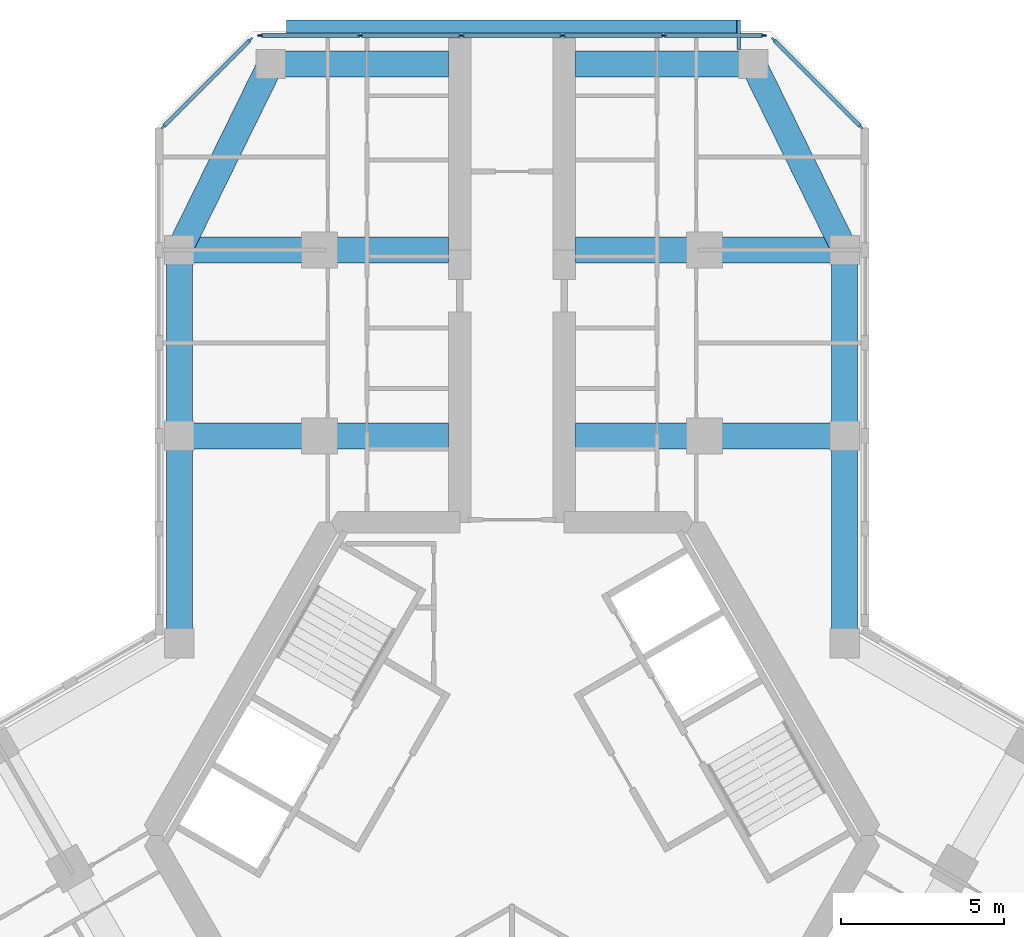
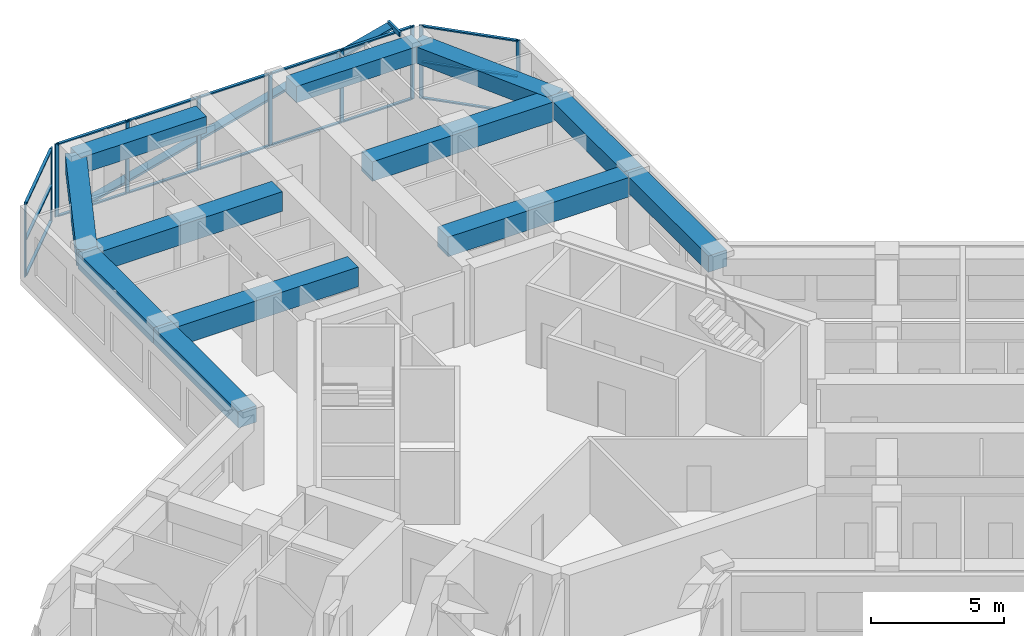
# One storey, part 6 of 16: 28 members, 12 beams, 3 elements without a shape of their own.
"""IFC4 building model written with IfcOpenShell, lengths in metres."""

from ifc_helpers import new_model, si_unit, direction, frame, origin, origin_2d, place, context, subcontext, project, spatial, rectangle, hollow_rectangle, extrude, material, material_profile, profile_set, type_object, element, aggregate, save


model = new_model("IFC4")

# Units and contexts
model_context = context("Model", 3, precision=1e-05, world=origin(), true_north=direction((0.0, 1.0)))
body_context = subcontext(model_context, "Body", "Model", "MODEL_VIEW")
ifc_project = project(units=[si_unit("LENGTHUNIT", "METRE"), si_unit("AREAUNIT", "SQUARE_METRE"), si_unit("VOLUMEUNIT", "CUBIC_METRE"), si_unit("PLANEANGLEUNIT", "RADIAN"), si_unit("MASSUNIT", "GRAM", prefix="KILO")], contexts=[model_context])

# Site, building, storey
site_placement = place(None, origin())
site = spatial("IfcSite", under=ifc_project, at=site_placement, CompositionType="ELEMENT")
building_placement = place(site_placement, origin())
building = spatial("IfcBuilding", under=site, at=building_placement, Name="Kosmar Iwan School Tower", CompositionType="ELEMENT")
storey_placement = place(building_placement, frame((0.0, 0.0, 204.60009765625)))
storey = spatial("IfcBuildingStorey", under=building, at=storey_placement, Name="L51", CompositionType="ELEMENT", Elevation=204.60009765625)

# Members
ifc_material_1 = material(Name="Black anodised aluminium", Category="aluminium")
ifc_material_profile_1 = material_profile(ifc_material_1, rectangle(XDim=0.10009765625, YDim=0.39990234375, at=origin_2d()), Name="FIN 100x400")
ifc_profile_set_1 = profile_set([ifc_material_profile_1], Name="Black anodised aluminium")
member_type_1 = type_object("IfcMemberType", Name="Diagonal fin 100x400", PredefinedType="USERDEFINED", material=ifc_profile_set_1)
member_1_placement = place(storey_placement, frame((-6.898193359375, 24.800048828125, -0.150146484375), z_axis=(0.967599450335, 0.0, 0.252490205179), x_axis=(-0.252490205179, 0.0, 0.967599450335)))
element("IfcMember", 1, at=member_1_placement, inside=storey, type_object=member_type_1, Name="Diagonal fin L51-F06", ObjectType="FIN", PredefinedType="USERDEFINED", context=body_context, shape_type="SweptSolid", body=[
    extrude(rectangle(XDim=0.10009765625, YDim=0.39990234375, at=origin_2d()), origin(), (0.0, 0.0, 1.0), 14.25830078125),
])
ifc_material_2 = material(Name="Steel S355", Category="steel")
ifc_material_profile_2 = material_profile(ifc_material_2, hollow_rectangle(XDim=0.10009765625, YDim=0.199951171875, WallThickness=0.008056640625, at=origin_2d()), Name="RHS 200x100x8")
ifc_profile_set_2 = profile_set([ifc_material_profile_2], Name="Steel S355")
member_type_2 = type_object("IfcMemberType", Name="Fin bracket RHS 200x100", PredefinedType="USERDEFINED", material=ifc_profile_set_2)
member_2_placement = place(storey_placement, frame((6.949951171875, 24.10009765625, 3.474853515625), z_axis=(0.0, 1.0, 0.0), x_axis=(-1.0, 0.0, 0.0)))
element("IfcMember", 2, at=member_2_placement, inside=storey, type_object=member_type_2, Name="Fin bracket L52", ObjectType="FIN BRACKET", PredefinedType="USERDEFINED", context=body_context, shape_type="SweptSolid", body=[
    extrude(hollow_rectangle(XDim=0.10009765625, YDim=0.199951171875, WallThickness=0.008056640625, at=origin_2d()), origin(), (0.0, 0.0, 1.0), 0.89990234375),
])

# Curtain wall, members
ifc_material_3 = material(Name="Dark glass in black aluminium frame", Category="aluminium")
curtain_wall_type_1 = type_object("IfcCurtainWallType", Name="Chamfer curtain wall dark glass", PredefinedType="USERDEFINED", material=ifc_material_3)
curtain_wall_1_placement = place(storey_placement, origin())
curtain_wall_1 = element("IfcCurtainWall", 3, at=curtain_wall_1_placement, inside=storey, type_object=curtain_wall_type_1, Name="Curtain wall L51-F05", ObjectType="FACETED CURTAIN WALL", PredefinedType="USERDEFINED")
ifc_material_4 = material(Name="Black anodised aluminium", Category="aluminium")
ifc_material_profile_3 = material_profile(ifc_material_4, rectangle(XDim=0.06005859375, YDim=0.159912109375, at=origin_2d()), Name="MULLION 60x160")
ifc_profile_set_3 = profile_set([ifc_material_profile_3], Name="Black anodised aluminium")
member_type_3 = type_object("IfcMemberType", Name="Mullion 60x160", PredefinedType="MULLION", material=ifc_profile_set_3)
member_3_placement = place(storey_placement, frame((10.69775390625, 21.7255859375, 0.0), z_axis=(0.0, 0.0, 1.0), x_axis=(-0.707106781187, -0.707106781187, 0.0)))
member_3 = element("IfcMember", 4, at=member_3_placement, type_object=member_type_3, Name="CW2 mullion 1", PredefinedType="MULLION", context=body_context, shape_type="SweptSolid", body=[
    extrude(rectangle(XDim=0.06005859375, YDim=0.159912109375, at=origin_2d()), origin(), (0.0, 0.0, 1.0), 3.349853515625),
])
member_4_placement = place(storey_placement, frame((8.025390625, 24.397705078125, 0.0), z_axis=(0.0, 0.0, 1.0), x_axis=(-0.707106781187, -0.707106781187, 0.0)))
member_4 = element("IfcMember", 5, at=member_4_placement, type_object=member_type_3, Name="CW2 mullion 2", PredefinedType="MULLION", context=body_context, shape_type="SweptSolid", body=[
    extrude(rectangle(XDim=0.06005859375, YDim=0.159912109375, at=origin_2d()), origin(), (0.0, 0.0, 1.0), 3.349853515625),
])

ifc_material_5 = material(Name="Dark glass in black aluminium frame", Category="aluminium")
curtain_wall_type_2 = type_object("IfcCurtainWallType", Name="Tower curtain wall dark glass", PredefinedType="USERDEFINED", material=ifc_material_5)
curtain_wall_2_placement = place(storey_placement, origin())
curtain_wall_2 = element("IfcCurtainWall", 6, at=curtain_wall_2_placement, inside=storey, type_object=curtain_wall_type_2, Name="Curtain wall L51-F06", ObjectType="UNITISED CURTAIN WALL", PredefinedType="USERDEFINED")
member_5_placement = place(storey_placement, frame((7.71826171875, 24.52490234375, 0.0), z_axis=(0.0, 0.0, 1.0), x_axis=(0.0, -1.0, 0.0)))
member_5 = element("IfcMember", 7, at=member_5_placement, type_object=member_type_3, Name="CW1 mullion 1", PredefinedType="MULLION", context=body_context, shape_type="SweptSolid", body=[
    extrude(rectangle(XDim=0.06005859375, YDim=0.159912109375, at=origin_2d()), origin(), (0.0, 0.0, 1.0), 3.349853515625),
])
member_6_placement = place(storey_placement, frame((4.64892578125, 24.52490234375, 0.0), z_axis=(0.0, 0.0, 1.0), x_axis=(0.0, -1.0, 0.0)))
member_6 = element("IfcMember", 8, at=member_6_placement, type_object=member_type_3, Name="CW1 mullion 2", PredefinedType="MULLION", context=body_context, shape_type="SweptSolid", body=[
    extrude(rectangle(XDim=0.06005859375, YDim=0.159912109375, at=origin_2d()), origin(), (0.0, 0.0, 1.0), 3.349853515625),
])
member_7_placement = place(storey_placement, frame((1.549560546875, 24.52490234375, 0.0), z_axis=(0.0, 0.0, 1.0), x_axis=(0.0, -1.0, 0.0)))
member_7 = element("IfcMember", 9, at=member_7_placement, type_object=member_type_3, Name="CW1 mullion 3", PredefinedType="MULLION", context=body_context, shape_type="SweptSolid", body=[
    extrude(rectangle(XDim=0.06005859375, YDim=0.159912109375, at=origin_2d()), origin(), (0.0, 0.0, 1.0), 3.349853515625),
])
member_8_placement = place(storey_placement, frame((-1.549560546875, 24.52490234375, 0.0), z_axis=(0.0, 0.0, 1.0), x_axis=(0.0, -1.0, 0.0)))
member_8 = element("IfcMember", 10, at=member_8_placement, type_object=member_type_3, Name="CW1 mullion 4", PredefinedType="MULLION", context=body_context, shape_type="SweptSolid", body=[
    extrude(rectangle(XDim=0.06005859375, YDim=0.159912109375, at=origin_2d()), origin(), (0.0, 0.0, 1.0), 3.349853515625),
])
member_9_placement = place(storey_placement, frame((-4.64892578125, 24.52490234375, 0.0), z_axis=(0.0, 0.0, 1.0), x_axis=(0.0, -1.0, 0.0)))
member_9 = element("IfcMember", 11, at=member_9_placement, type_object=member_type_3, Name="CW1 mullion 5", PredefinedType="MULLION", context=body_context, shape_type="SweptSolid", body=[
    extrude(rectangle(XDim=0.06005859375, YDim=0.159912109375, at=origin_2d()), origin(), (0.0, 0.0, 1.0), 3.349853515625),
])
member_10_placement = place(storey_placement, frame((-7.71826171875, 24.52490234375, 0.0), z_axis=(0.0, 0.0, 1.0), x_axis=(0.0, -1.0, 0.0)))
member_10 = element("IfcMember", 12, at=member_10_placement, type_object=member_type_3, Name="CW1 mullion 6", PredefinedType="MULLION", context=body_context, shape_type="SweptSolid", body=[
    extrude(rectangle(XDim=0.06005859375, YDim=0.159912109375, at=origin_2d()), origin(), (0.0, 0.0, 1.0), 3.349853515625),
])

curtain_wall_3_placement = place(storey_placement, origin())
curtain_wall_3 = element("IfcCurtainWall", 13, at=curtain_wall_3_placement, inside=storey, type_object=curtain_wall_type_1, Name="Curtain wall L51-F07", ObjectType="FACETED CURTAIN WALL", PredefinedType="USERDEFINED")
member_11_placement = place(storey_placement, frame((-8.025390625, 24.397705078125, 0.0), z_axis=(0.0, 0.0, 1.0), x_axis=(0.707106781187, -0.707106781187, 0.0)))
member_11 = element("IfcMember", 14, at=member_11_placement, type_object=member_type_3, Name="CW2 mullion 1", PredefinedType="MULLION", context=body_context, shape_type="SweptSolid", body=[
    extrude(rectangle(XDim=0.06005859375, YDim=0.159912109375, at=origin_2d()), origin(), (0.0, 0.0, 1.0), 3.349853515625),
])
member_12_placement = place(storey_placement, frame((-10.69775390625, 21.7255859375, 0.0), z_axis=(0.0, 0.0, 1.0), x_axis=(0.707106781187, -0.707106781187, 0.0)))
member_12 = element("IfcMember", 15, at=member_12_placement, type_object=member_type_3, Name="CW2 mullion 2", PredefinedType="MULLION", context=body_context, shape_type="SweptSolid", body=[
    extrude(rectangle(XDim=0.06005859375, YDim=0.159912109375, at=origin_2d()), origin(), (0.0, 0.0, 1.0), 3.349853515625),
])

# Beams
ifc_material_6 = material(Name="Concrete C50/60", Category="concrete")
ifc_material_profile_4 = material_profile(ifc_material_6, rectangle(XDim=0.800048828125, YDim=0.75, at=origin_2d()), Name="RC 800x750")
ifc_profile_set_4 = profile_set([ifc_material_profile_4], Name="Concrete C50/60")
beam_type_1 = type_object("IfcBeamType", Name="RC edge beam 800x750", PredefinedType="BEAM", material=ifc_profile_set_4)
beam_1_placement = place(storey_placement, frame((-10.199951171875, 5.888916015625, 2.974853515625), z_axis=(0.0, 1.0, 0.0), x_axis=(-1.0, 0.0, 0.0)))
element("IfcBeam", 16, at=beam_1_placement, inside=storey, type_object=beam_type_1, Name="Edge beam AL1", PredefinedType="BEAM", context=body_context, shape_type="SweptSolid", body=[
    extrude(rectangle(XDim=0.800048828125, YDim=0.75, at=origin_2d()), origin(), (0.0, 0.0, 1.0), 6.361083984375),
])
beam_2_placement = place(storey_placement, frame((-10.199951171875, 12.25, 2.974853515625), z_axis=(0.0, 1.0, 0.0), x_axis=(-1.0, 0.0, 0.0)))
element("IfcBeam", 17, at=beam_2_placement, inside=storey, type_object=beam_type_1, Name="Edge beam AL2", PredefinedType="BEAM", context=body_context, shape_type="SweptSolid", body=[
    extrude(rectangle(XDim=0.800048828125, YDim=0.75, at=origin_2d()), origin(), (0.0, 0.0, 1.0), 5.699951171875),
])
beam_3_placement = place(storey_placement, frame((10.199951171875, 5.888916015625, 2.974853515625), z_axis=(0.0, 1.0, 0.0), x_axis=(-1.0, 0.0, 0.0)))
element("IfcBeam", 18, at=beam_3_placement, inside=storey, type_object=beam_type_1, Name="Edge beam AR1", PredefinedType="BEAM", context=body_context, shape_type="SweptSolid", body=[
    extrude(rectangle(XDim=0.800048828125, YDim=0.75, at=origin_2d()), origin(), (0.0, 0.0, 1.0), 6.361083984375),
])
beam_4_placement = place(storey_placement, frame((10.199951171875, 12.25, 2.974853515625), z_axis=(0.0, 1.0, 0.0), x_axis=(-1.0, 0.0, 0.0)))
element("IfcBeam", 19, at=beam_4_placement, inside=storey, type_object=beam_type_1, Name="Edge beam AR2", PredefinedType="BEAM", context=body_context, shape_type="SweptSolid", body=[
    extrude(rectangle(XDim=0.800048828125, YDim=0.75, at=origin_2d()), origin(), (0.0, 0.0, 1.0), 5.699951171875),
])
ifc_material_7 = material(Name="Concrete C50/60", Category="concrete")
ifc_material_profile_5 = material_profile(ifc_material_7, rectangle(XDim=0.800048828125, YDim=0.75, at=origin_2d()), Name="RC 800x750")
ifc_profile_set_5 = profile_set([ifc_material_profile_5], Name="Concrete C50/60")
beam_type_2 = type_object("IfcBeamType", Name="RC tip beam 800x750", PredefinedType="BEAM", material=ifc_profile_set_5)
beam_5_placement = place(storey_placement, frame((-10.199951171875, 17.949951171875, 2.974853515625), z_axis=(0.440913116462, 0.897549788999, 0.0), x_axis=(-0.897549788999, 0.440913116462, 0.0)))
element("IfcBeam", 20, at=beam_5_placement, inside=storey, type_object=beam_type_2, Name="Tip beam AL", PredefinedType="BEAM", context=body_context, shape_type="SweptSolid", body=[
    extrude(rectangle(XDim=0.800048828125, YDim=0.75, at=origin_2d()), origin(), (0.0, 0.0, 1.0), 6.3505859375),
])
beam_6_placement = place(storey_placement, frame((-7.39990234375, 23.64990234375, 2.974853515625), z_axis=(1.0, 0.0, 0.0), x_axis=(0.0, 1.0, 0.0)))
element("IfcBeam", 21, at=beam_6_placement, inside=storey, type_object=beam_type_2, Name="Tip beam AL to corridor wall", PredefinedType="BEAM", context=body_context, shape_type="SweptSolid", body=[
    extrude(rectangle(XDim=0.800048828125, YDim=0.75, at=origin_2d()), origin(), (0.0, 0.0, 1.0), 5.449951171875),
])
beam_7_placement = place(storey_placement, frame((10.199951171875, 17.949951171875, 2.974853515625), z_axis=(-0.440913116462, 0.897549788999, 0.0), x_axis=(-0.897549788999, -0.440913116462, 0.0)))
element("IfcBeam", 22, at=beam_7_placement, inside=storey, type_object=beam_type_2, Name="Tip beam AR", PredefinedType="BEAM", context=body_context, shape_type="SweptSolid", body=[
    extrude(rectangle(XDim=0.800048828125, YDim=0.75, at=origin_2d()), origin(), (0.0, 0.0, 1.0), 6.3505859375),
])
beam_8_placement = place(storey_placement, frame((7.39990234375, 23.64990234375, 2.974853515625), z_axis=(-1.0, 0.0, 0.0), x_axis=(0.0, -1.0, 0.0)))
element("IfcBeam", 23, at=beam_8_placement, inside=storey, type_object=beam_type_2, Name="Tip beam AR to corridor wall", PredefinedType="BEAM", context=body_context, shape_type="SweptSolid", body=[
    extrude(rectangle(XDim=0.800048828125, YDim=0.75, at=origin_2d()), origin(), (0.0, 0.0, 1.0), 5.449951171875),
])
ifc_material_8 = material(Name="Concrete C50/60", Category="concrete")
ifc_material_profile_6 = material_profile(ifc_material_8, rectangle(XDim=0.800048828125, YDim=0.89990234375, at=origin_2d()), Name="RC 800x900")
ifc_profile_set_6 = profile_set([ifc_material_profile_6], Name="Concrete C50/60")
beam_type_3 = type_object("IfcBeamType", Name="RC transverse beam 800x900", PredefinedType="BEAM", material=ifc_profile_set_6)
for number, where, z_axis, x_axis, name in (
    (24, (-10.199951171875, 12.25, 2.89990234375), (1.0, 0.0, 0.0), (0.0, 1.0, 0.0), "Transverse beam AL1"),
    (25, (-10.199951171875, 17.949951171875, 2.89990234375), (1.0, 0.0, 0.0), (0.0, 1.0, 0.0), "Transverse beam AL2"),
    (26, (10.199951171875, 12.25, 2.89990234375), (-1.0, 0.0, 0.0), (0.0, -1.0, 0.0), "Transverse beam AR1"),
    (27, (10.199951171875, 17.949951171875, 2.89990234375), (-1.0, 0.0, 0.0), (0.0, -1.0, 0.0), "Transverse beam AR2"),
):
    element("IfcBeam", number, at=place(storey_placement, frame(where, z_axis=z_axis, x_axis=x_axis)), inside=storey, type_object=beam_type_3, Name=name, PredefinedType="BEAM", context=body_context, shape_type="SweptSolid", body=[
        extrude(rectangle(XDim=0.800048828125, YDim=0.89990234375, at=origin_2d()), origin(), (0.0, 0.0, 1.0), 8.25),
    ])

# Member
ifc_material_9 = material(Name="Black anodised aluminium", Category="aluminium")
ifc_material_profile_7 = material_profile(ifc_material_9, rectangle(XDim=0.1201171875, YDim=0.06005859375, at=origin_2d()), Name="TRANSOM 60x120")
ifc_profile_set_7 = profile_set([ifc_material_profile_7], Name="Black anodised aluminium")
member_type_4 = type_object("IfcMemberType", Name="Transom 60x120", PredefinedType="USERDEFINED", material=ifc_profile_set_7)
member_13_placement = place(storey_placement, frame((10.676513671875, 21.746826171875, 0.02978515625), z_axis=(-0.707139603466, 0.707073957383, 0.0), x_axis=(-0.707073957383, -0.707139603466, 0.0)))
member_13 = element("IfcMember", 28, at=member_13_placement, type_object=member_type_4, Name="CW2 transom 1.1", ObjectType="TRANSOM", PredefinedType="USERDEFINED", context=body_context, shape_type="SweptSolid", body=[
    extrude(rectangle(XDim=0.1201171875, YDim=0.06005859375, at=origin_2d()), origin(), (0.0, 0.0, 1.0), 3.718994140625),
])

member_14_placement = place(storey_placement, frame((10.676513671875, 21.746826171875, 1.6748046875), z_axis=(-0.707139603466, 0.707073957383, 0.0), x_axis=(-0.707073957383, -0.707139603466, 0.0)))
member_14 = element("IfcMember", 29, at=member_14_placement, type_object=member_type_4, Name="CW2 transom 1.2", ObjectType="TRANSOM", PredefinedType="USERDEFINED", context=body_context, shape_type="SweptSolid", body=[
    extrude(rectangle(XDim=0.1201171875, YDim=0.06005859375, at=origin_2d()), origin(), (0.0, 0.0, 1.0), 3.718994140625),
])

member_15_placement = place(storey_placement, frame((10.676513671875, 21.746826171875, 3.31982421875), z_axis=(-0.707139603466, 0.707073957383, 0.0), x_axis=(-0.707073957383, -0.707139603466, 0.0)))
member_15 = element("IfcMember", 30, at=member_15_placement, type_object=member_type_4, Name="CW2 transom 1.3", ObjectType="TRANSOM", PredefinedType="USERDEFINED", context=body_context, shape_type="SweptSolid", body=[
    extrude(rectangle(XDim=0.1201171875, YDim=0.06005859375, at=origin_2d()), origin(), (0.0, 0.0, 1.0), 3.718994140625),
])

aggregate(curtain_wall_1, [member_3, member_4, member_13, member_14, member_15])

member_16_placement = place(storey_placement, frame((7.688232421875, 24.52490234375, 0.02978515625), z_axis=(-1.0, 0.0, 0.0), x_axis=(0.0, -1.0, 0.0)))
member_16 = element("IfcMember", 31, at=member_16_placement, type_object=member_type_4, Name="CW1 transom 1.1", ObjectType="TRANSOM", PredefinedType="USERDEFINED", context=body_context, shape_type="SweptSolid", body=[
    extrude(rectangle(XDim=0.1201171875, YDim=0.06005859375, at=origin_2d()), origin(), (0.0, 0.0, 1.0), 3.00927734375),
])

member_17_placement = place(storey_placement, frame((7.688232421875, 24.52490234375, 3.31982421875), z_axis=(-1.0, 0.0, 0.0), x_axis=(0.0, -1.0, 0.0)))
member_17 = element("IfcMember", 32, at=member_17_placement, type_object=member_type_4, Name="CW1 transom 1.2", ObjectType="TRANSOM", PredefinedType="USERDEFINED", context=body_context, shape_type="SweptSolid", body=[
    extrude(rectangle(XDim=0.1201171875, YDim=0.06005859375, at=origin_2d()), origin(), (0.0, 0.0, 1.0), 3.00927734375),
])

member_18_placement = place(storey_placement, frame((4.618896484375, 24.52490234375, 0.02978515625), z_axis=(-1.0, 0.0, 0.0), x_axis=(0.0, -1.0, 0.0)))
member_18 = element("IfcMember", 33, at=member_18_placement, type_object=member_type_4, Name="CW1 transom 2.1", ObjectType="TRANSOM", PredefinedType="USERDEFINED", context=body_context, shape_type="SweptSolid", body=[
    extrude(rectangle(XDim=0.1201171875, YDim=0.06005859375, at=origin_2d()), origin(), (0.0, 0.0, 1.0), 3.039306640625),
])

member_19_placement = place(storey_placement, frame((4.618896484375, 24.52490234375, 3.31982421875), z_axis=(-1.0, 0.0, 0.0), x_axis=(0.0, -1.0, 0.0)))
member_19 = element("IfcMember", 34, at=member_19_placement, type_object=member_type_4, Name="CW1 transom 2.2", ObjectType="TRANSOM", PredefinedType="USERDEFINED", context=body_context, shape_type="SweptSolid", body=[
    extrude(rectangle(XDim=0.1201171875, YDim=0.06005859375, at=origin_2d()), origin(), (0.0, 0.0, 1.0), 3.039306640625),
])

member_20_placement = place(storey_placement, frame((1.51953125, 24.52490234375, 0.02978515625), z_axis=(-1.0, 0.0, 0.0), x_axis=(0.0, -1.0, 0.0)))
member_20 = element("IfcMember", 35, at=member_20_placement, type_object=member_type_4, Name="CW1 transom 3.1", ObjectType="TRANSOM", PredefinedType="USERDEFINED", context=body_context, shape_type="SweptSolid", body=[
    extrude(rectangle(XDim=0.1201171875, YDim=0.06005859375, at=origin_2d()), origin(), (0.0, 0.0, 1.0), 3.0390625),
])

member_21_placement = place(storey_placement, frame((1.51953125, 24.52490234375, 3.31982421875), z_axis=(-1.0, 0.0, 0.0), x_axis=(0.0, -1.0, 0.0)))
member_21 = element("IfcMember", 36, at=member_21_placement, type_object=member_type_4, Name="CW1 transom 3.2", ObjectType="TRANSOM", PredefinedType="USERDEFINED", context=body_context, shape_type="SweptSolid", body=[
    extrude(rectangle(XDim=0.1201171875, YDim=0.06005859375, at=origin_2d()), origin(), (0.0, 0.0, 1.0), 3.0390625),
])

member_22_placement = place(storey_placement, frame((-1.57958984375, 24.52490234375, 0.02978515625), z_axis=(-1.0, 0.0, 0.0), x_axis=(0.0, -1.0, 0.0)))
member_22 = element("IfcMember", 37, at=member_22_placement, type_object=member_type_4, Name="CW1 transom 4.1", ObjectType="TRANSOM", PredefinedType="USERDEFINED", context=body_context, shape_type="SweptSolid", body=[
    extrude(rectangle(XDim=0.1201171875, YDim=0.06005859375, at=origin_2d()), origin(), (0.0, 0.0, 1.0), 3.039306640625),
])

member_23_placement = place(storey_placement, frame((-1.57958984375, 24.52490234375, 3.31982421875), z_axis=(-1.0, 0.0, 0.0), x_axis=(0.0, -1.0, 0.0)))
member_23 = element("IfcMember", 38, at=member_23_placement, type_object=member_type_4, Name="CW1 transom 4.2", ObjectType="TRANSOM", PredefinedType="USERDEFINED", context=body_context, shape_type="SweptSolid", body=[
    extrude(rectangle(XDim=0.1201171875, YDim=0.06005859375, at=origin_2d()), origin(), (0.0, 0.0, 1.0), 3.039306640625),
])

member_24_placement = place(storey_placement, frame((-4.678955078125, 24.52490234375, 0.02978515625), z_axis=(-1.0, 0.0, 0.0), x_axis=(0.0, -1.0, 0.0)))
member_24 = element("IfcMember", 39, at=member_24_placement, type_object=member_type_4, Name="CW1 transom 5.1", ObjectType="TRANSOM", PredefinedType="USERDEFINED", context=body_context, shape_type="SweptSolid", body=[
    extrude(rectangle(XDim=0.1201171875, YDim=0.06005859375, at=origin_2d()), origin(), (0.0, 0.0, 1.0), 3.00927734375),
])

member_25_placement = place(storey_placement, frame((-4.678955078125, 24.52490234375, 3.31982421875), z_axis=(-1.0, 0.0, 0.0), x_axis=(0.0, -1.0, 0.0)))
member_25 = element("IfcMember", 40, at=member_25_placement, type_object=member_type_4, Name="CW1 transom 5.2", ObjectType="TRANSOM", PredefinedType="USERDEFINED", context=body_context, shape_type="SweptSolid", body=[
    extrude(rectangle(XDim=0.1201171875, YDim=0.06005859375, at=origin_2d()), origin(), (0.0, 0.0, 1.0), 3.00927734375),
])

aggregate(curtain_wall_2, [member_5, member_6, member_7, member_8, member_9, member_10, member_16, member_17, member_18, member_19, member_20, member_21, member_22, member_23, member_24, member_25])

member_26_placement = place(storey_placement, frame((-8.046630859375, 24.37646484375, 0.02978515625), z_axis=(-0.707139603466, -0.707073957383, 0.0), x_axis=(0.707073957383, -0.707139603466, 0.0)))
member_26 = element("IfcMember", 41, at=member_26_placement, type_object=member_type_4, Name="CW2 transom 1.1", ObjectType="TRANSOM", PredefinedType="USERDEFINED", context=body_context, shape_type="SweptSolid", body=[
    extrude(rectangle(XDim=0.1201171875, YDim=0.06005859375, at=origin_2d()), origin(), (0.0, 0.0, 1.0), 3.718994140625),
])

member_27_placement = place(storey_placement, frame((-8.046630859375, 24.37646484375, 1.6748046875), z_axis=(-0.707139603466, -0.707073957383, 0.0), x_axis=(0.707073957383, -0.707139603466, 0.0)))
member_27 = element("IfcMember", 42, at=member_27_placement, type_object=member_type_4, Name="CW2 transom 1.2", ObjectType="TRANSOM", PredefinedType="USERDEFINED", context=body_context, shape_type="SweptSolid", body=[
    extrude(rectangle(XDim=0.1201171875, YDim=0.06005859375, at=origin_2d()), origin(), (0.0, 0.0, 1.0), 3.718994140625),
])

member_28_placement = place(storey_placement, frame((-8.046630859375, 24.37646484375, 3.31982421875), z_axis=(-0.707139603466, -0.707073957383, 0.0), x_axis=(0.707073957383, -0.707139603466, 0.0)))
member_28 = element("IfcMember", 43, at=member_28_placement, type_object=member_type_4, Name="CW2 transom 1.3", ObjectType="TRANSOM", PredefinedType="USERDEFINED", context=body_context, shape_type="SweptSolid", body=[
    extrude(rectangle(XDim=0.1201171875, YDim=0.06005859375, at=origin_2d()), origin(), (0.0, 0.0, 1.0), 3.718994140625),
])

aggregate(curtain_wall_3, [member_11, member_12, member_26, member_27, member_28])

save(model, "model.ifc")
